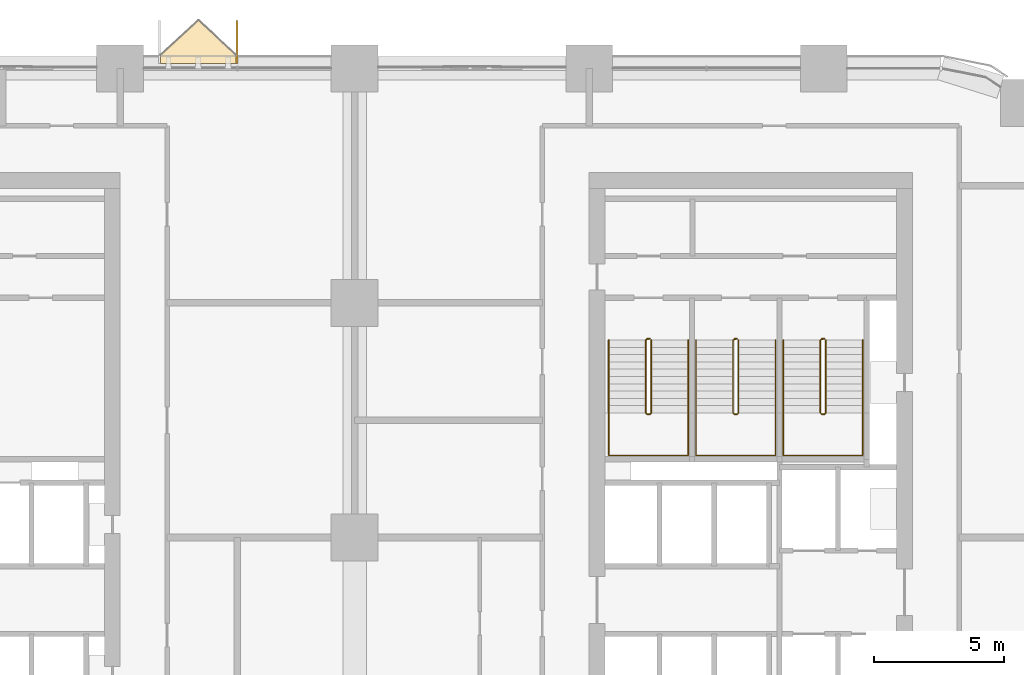
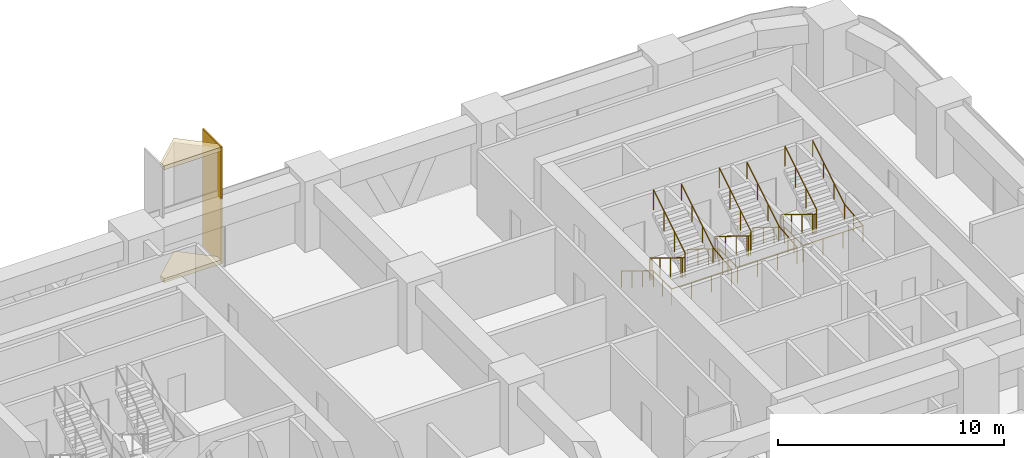
# One storey, part 18 of 18: 6 railings, 3 coverings.
"""IFC4 building model written with IfcOpenShell, lengths in metres."""

from ifc_helpers import new_model, si_unit, direction, frame, origin, origin_2d, place, context, subcontext, project, spatial, polyline, circle, outline, extrude, material, layer, layer_set, type_object, element, save


model = new_model("IFC4")

# Units and contexts
model_context = context("Model", 3, precision=1e-05, world=origin(), true_north=direction((0.0, 1.0)))
body_context = subcontext(model_context, "Body", "Model", "MODEL_VIEW")
ifc_project = project(units=[si_unit("LENGTHUNIT", "METRE"), si_unit("AREAUNIT", "SQUARE_METRE"), si_unit("VOLUMEUNIT", "CUBIC_METRE"), si_unit("PLANEANGLEUNIT", "RADIAN"), si_unit("MASSUNIT", "GRAM", prefix="KILO")], contexts=[model_context])

# Site, building, storey
site_placement = place(None, origin())
site = spatial("IfcSite", under=ifc_project, at=site_placement, CompositionType="ELEMENT")
building_placement = place(site_placement, origin())
building = spatial("IfcBuilding", under=site, at=building_placement, Name="Tessera Arch", CompositionType="ELEMENT")
storey_placement = place(building_placement, frame((0.0, 0.0, 100.60009765625)))
storey = spatial("IfcBuildingStorey", under=building, at=storey_placement, Name="L23", CompositionType="ELEMENT", Elevation=100.60009765625)

# Railings
ifc_material_1 = material(Name="Painted steel balustrade", Category="steel")
railing_type_1 = type_object("IfcRailingType", Name="Stair guard 1100", PredefinedType="GUARDRAIL", material=ifc_material_1)
railing_1_placement = place(storey_placement, frame((38.219970703125, 43.6298828125, 0.0)))
element("IfcRailing", 1, at=railing_1_placement, inside=storey, type_object=railing_type_1, Name="L23 S1a stair guard 1", PredefinedType="GUARDRAIL", context=body_context, shape_type="SweptSolid", body=[
    extrude(circle(Radius=0.02392578125, at=origin_2d()), frame((-0.00390625, 0.0, 1.076171875), z_axis=(1.0, 0.0, 0.0), x_axis=(0.0, 1.0, 0.0)), (0.0, 0.0, 1.0), 0.1181640625),
    extrude(circle(Radius=0.02392578125, at=origin_2d()), frame((0.11279296875, 0.000732421875, 1.0732421875), z_axis=(-0.665449600336, -0.206938595226, 0.717184249143), x_axis=(0.296948579431, -0.954893471113, 0.0)), (0.0, 0.0, 1.0), 0.248779296875),
    extrude(circle(Radius=0.02392578125, at=origin_2d()), frame((-0.050048828125, -0.04638671875, 1.24658203125), z_axis=(0.0, -0.851089632645, 0.525020415988), x_axis=(1.0, 0.0, 0.0)), (0.0, 0.0, 1.0), 3.2978515625),
    extrude(circle(Radius=0.02392578125, at=origin_2d()), frame((-0.052978515625, -2.846923828125, 2.97607421875), z_axis=(0.707106781187, -0.707106781187, 0.0), x_axis=(0.707106781187, 0.707106781187, 0.0)), (0.0, 0.0, 1.0), 0.078857421875),
    extrude(circle(Radius=0.02392578125, at=origin_2d()), frame((-0.00390625, -2.89990234375, 2.97607421875), z_axis=(1.0, 0.0, 0.0), x_axis=(0.0, 1.0, 0.0)), (0.0, 0.0, 1.0), 0.1181640625),
    extrude(circle(Radius=0.02392578125, at=origin_2d()), frame((0.109130859375, -2.90087890625, 2.97216796875), z_axis=(0.267062837333, 0.268371968888, 0.925556009775), x_axis=(-0.708833529934, 0.705375805398, 0.0)), (0.0, 0.0, 1.0), 0.194580078125),
    extrude(circle(Radius=0.02392578125, at=origin_2d()), frame((0.159912109375, -2.853271484375, 3.146484375), z_axis=(0.0, 0.851089632645, 0.525020415988), x_axis=(-1.0, 0.0, 0.0)), (0.0, 0.0, 1.0), 3.2978515625),
    extrude(circle(Radius=0.02099609375, at=origin_2d()), origin(), (0.0, 0.0, 1.0), 1.06396484375),
    extrude(circle(Radius=0.02099609375, at=origin_2d()), frame((0.110107421875, 0.0, 0.0)), (0.0, 0.0, 1.0), 1.06396484375),
    extrude(circle(Radius=0.02099609375, at=origin_2d()), frame((-0.050048828125, -0.0498046875, 0.172607421875)), (0.0, 0.0, 1.0), 1.06396484375),
    extrude(circle(Radius=0.02099609375, at=origin_2d()), frame((-0.050048828125, -0.983154296875, 0.748291015625)), (0.0, 0.0, 1.0), 1.06396484375),
    extrude(circle(Radius=0.02099609375, at=origin_2d()), frame((-0.050048828125, -1.91650390625, 1.32421875)), (0.0, 0.0, 1.0), 1.06396484375),
    extrude(circle(Radius=0.02099609375, at=origin_2d()), frame((-0.050048828125, -2.849853515625, 1.89990234375)), (0.0, 0.0, 1.0), 1.06396484375),
    extrude(circle(Radius=0.02099609375, at=origin_2d()), frame((0.0, -2.89990234375, 1.89990234375)), (0.0, 0.0, 1.0), 1.06396484375),
    extrude(circle(Radius=0.02099609375, at=origin_2d()), frame((0.110107421875, -2.89990234375, 1.89990234375)), (0.0, 0.0, 1.0), 1.06396484375),
    extrude(circle(Radius=0.02099609375, at=origin_2d()), frame((0.159912109375, -2.849853515625, 2.072509765625)), (0.0, 0.0, 1.0), 1.06396484375),
    extrude(circle(Radius=0.02099609375, at=origin_2d()), frame((0.159912109375, -1.91650390625, 2.648193359375)), (0.0, 0.0, 1.0), 1.06396484375),
    extrude(circle(Radius=0.02099609375, at=origin_2d()), frame((0.159912109375, -0.983154296875, 3.22412109375)), (0.0, 0.0, 1.0), 1.06396484375),
    extrude(circle(Radius=0.02099609375, at=origin_2d()), frame((0.159912109375, -0.0498046875, 3.7998046875)), (0.0, 0.0, 1.0), 1.06396484375),
])
railing_2_placement = place(storey_placement, frame((41.570068359375, 43.6298828125, 0.0)))
element("IfcRailing", 2, at=railing_2_placement, inside=storey, type_object=railing_type_1, Name="L23 S1b stair guard 1", PredefinedType="GUARDRAIL", context=body_context, shape_type="SweptSolid", body=[
    extrude(circle(Radius=0.02392578125, at=origin_2d()), frame((-0.00390625, 0.0, 1.076171875), z_axis=(1.0, 0.0, 0.0), x_axis=(0.0, 1.0, 0.0)), (0.0, 0.0, 1.0), 0.117919921875),
    extrude(circle(Radius=0.02392578125, at=origin_2d()), frame((0.112548828125, 0.000732421875, 1.0732421875), z_axis=(-0.664883824791, -0.207078321004, 0.717668494851), x_axis=(0.297361876254, -0.954764847777, 0.0)), (0.0, 0.0, 1.0), 0.24853515625),
    extrude(circle(Radius=0.02392578125, at=origin_2d()), frame((-0.050048828125, -0.04638671875, 1.24658203125), z_axis=(0.0, -0.851089632645, 0.525020415988), x_axis=(1.0, 0.0, 0.0)), (0.0, 0.0, 1.0), 3.2978515625),
    extrude(circle(Radius=0.02392578125, at=origin_2d()), frame((-0.052978515625, -2.846923828125, 2.97607421875), z_axis=(0.707106781187, -0.707106781187, 0.0), x_axis=(0.707106781187, 0.707106781187, 0.0)), (0.0, 0.0, 1.0), 0.078857421875),
    extrude(circle(Radius=0.02392578125, at=origin_2d()), frame((-0.00390625, -2.89990234375, 2.97607421875), z_axis=(1.0, 0.0, 0.0), x_axis=(0.0, 1.0, 0.0)), (0.0, 0.0, 1.0), 0.117919921875),
    extrude(circle(Radius=0.02392578125, at=origin_2d()), frame((0.10888671875, -2.90087890625, 2.97216796875), z_axis=(0.268277960024, 0.268277960024, 0.925231793839), x_axis=(-0.707106781187, 0.707106781187, 0.0)), (0.0, 0.0, 1.0), 0.194580078125),
    extrude(circle(Radius=0.02392578125, at=origin_2d()), frame((0.159912109375, -2.853271484375, 3.146484375), z_axis=(0.0, 0.851089632645, 0.525020415988), x_axis=(-1.0, 0.0, 0.0)), (0.0, 0.0, 1.0), 3.2978515625),
    extrude(circle(Radius=0.02099609375, at=origin_2d()), origin(), (0.0, 0.0, 1.0), 1.06396484375),
    extrude(circle(Radius=0.02099609375, at=origin_2d()), frame((0.10986328125, 0.0, 0.0)), (0.0, 0.0, 1.0), 1.06396484375),
    extrude(circle(Radius=0.02099609375, at=origin_2d()), frame((-0.050048828125, -0.0498046875, 0.172607421875)), (0.0, 0.0, 1.0), 1.06396484375),
    extrude(circle(Radius=0.02099609375, at=origin_2d()), frame((-0.050048828125, -0.983154296875, 0.748291015625)), (0.0, 0.0, 1.0), 1.06396484375),
    extrude(circle(Radius=0.02099609375, at=origin_2d()), frame((-0.050048828125, -1.91650390625, 1.32421875)), (0.0, 0.0, 1.0), 1.06396484375),
    extrude(circle(Radius=0.02099609375, at=origin_2d()), frame((-0.050048828125, -2.849853515625, 1.89990234375)), (0.0, 0.0, 1.0), 1.06396484375),
    extrude(circle(Radius=0.02099609375, at=origin_2d()), frame((0.0, -2.89990234375, 1.89990234375)), (0.0, 0.0, 1.0), 1.06396484375),
    extrude(circle(Radius=0.02099609375, at=origin_2d()), frame((0.10986328125, -2.89990234375, 1.89990234375)), (0.0, 0.0, 1.0), 1.06396484375),
    extrude(circle(Radius=0.02099609375, at=origin_2d()), frame((0.159912109375, -2.849853515625, 2.072509765625)), (0.0, 0.0, 1.0), 1.06396484375),
    extrude(circle(Radius=0.02099609375, at=origin_2d()), frame((0.159912109375, -1.91650390625, 2.648193359375)), (0.0, 0.0, 1.0), 1.06396484375),
    extrude(circle(Radius=0.02099609375, at=origin_2d()), frame((0.159912109375, -0.983154296875, 3.22412109375)), (0.0, 0.0, 1.0), 1.06396484375),
    extrude(circle(Radius=0.02099609375, at=origin_2d()), frame((0.159912109375, -0.0498046875, 3.7998046875)), (0.0, 0.0, 1.0), 1.06396484375),
])
railing_3_placement = place(storey_placement, frame((44.919921875, 43.6298828125, 0.0)))
element("IfcRailing", 3, at=railing_3_placement, inside=storey, type_object=railing_type_1, Name="L23 S1c stair guard 1", PredefinedType="GUARDRAIL", context=body_context, shape_type="SweptSolid", body=[
    extrude(circle(Radius=0.02392578125, at=origin_2d()), frame((-0.00390625, 0.0, 1.076171875), z_axis=(1.0, 0.0, 0.0), x_axis=(0.0, 1.0, 0.0)), (0.0, 0.0, 1.0), 0.1181640625),
    extrude(circle(Radius=0.02392578125, at=origin_2d()), frame((0.11279296875, 0.000732421875, 1.0732421875), z_axis=(-0.664883824791, -0.207078321004, 0.717668494851), x_axis=(0.297361876254, -0.954764847777, 0.0)), (0.0, 0.0, 1.0), 0.24853515625),
    extrude(circle(Radius=0.02392578125, at=origin_2d()), frame((-0.0498046875, -0.04638671875, 1.24658203125), z_axis=(0.0, -0.851089632645, 0.525020415988), x_axis=(1.0, 0.0, 0.0)), (0.0, 0.0, 1.0), 3.2978515625),
    extrude(circle(Radius=0.02392578125, at=origin_2d()), frame((-0.052734375, -2.846923828125, 2.97607421875), z_axis=(0.705375805398, -0.708833529934, 0.0), x_axis=(0.708833529934, 0.705375805398, 0.0)), (0.0, 0.0, 1.0), 0.07861328125),
    extrude(circle(Radius=0.02392578125, at=origin_2d()), frame((-0.00390625, -2.89990234375, 2.97607421875), z_axis=(1.0, 0.0, 0.0), x_axis=(0.0, 1.0, 0.0)), (0.0, 0.0, 1.0), 0.1181640625),
    extrude(circle(Radius=0.02392578125, at=origin_2d()), frame((0.109130859375, -2.90087890625, 2.97216796875), z_axis=(0.268277960024, 0.268277960024, 0.925231793839), x_axis=(-0.707106781187, 0.707106781187, 0.0)), (0.0, 0.0, 1.0), 0.194580078125),
    extrude(circle(Radius=0.02392578125, at=origin_2d()), frame((0.16015625, -2.853271484375, 3.146484375), z_axis=(0.0, 0.851089632645, 0.525020415988), x_axis=(-1.0, 0.0, 0.0)), (0.0, 0.0, 1.0), 3.2978515625),
    extrude(circle(Radius=0.02099609375, at=origin_2d()), origin(), (0.0, 0.0, 1.0), 1.06396484375),
    extrude(circle(Radius=0.02099609375, at=origin_2d()), frame((0.110107421875, 0.0, 0.0)), (0.0, 0.0, 1.0), 1.06396484375),
    extrude(circle(Radius=0.02099609375, at=origin_2d()), frame((-0.0498046875, -0.0498046875, 0.172607421875)), (0.0, 0.0, 1.0), 1.06396484375),
    extrude(circle(Radius=0.02099609375, at=origin_2d()), frame((-0.0498046875, -0.983154296875, 0.748291015625)), (0.0, 0.0, 1.0), 1.06396484375),
    extrude(circle(Radius=0.02099609375, at=origin_2d()), frame((-0.0498046875, -1.91650390625, 1.32421875)), (0.0, 0.0, 1.0), 1.06396484375),
    extrude(circle(Radius=0.02099609375, at=origin_2d()), frame((-0.0498046875, -2.849853515625, 1.89990234375)), (0.0, 0.0, 1.0), 1.06396484375),
    extrude(circle(Radius=0.02099609375, at=origin_2d()), frame((0.0, -2.89990234375, 1.89990234375)), (0.0, 0.0, 1.0), 1.06396484375),
    extrude(circle(Radius=0.02099609375, at=origin_2d()), frame((0.110107421875, -2.89990234375, 1.89990234375)), (0.0, 0.0, 1.0), 1.06396484375),
    extrude(circle(Radius=0.02099609375, at=origin_2d()), frame((0.16015625, -2.849853515625, 2.072509765625)), (0.0, 0.0, 1.0), 1.06396484375),
    extrude(circle(Radius=0.02099609375, at=origin_2d()), frame((0.16015625, -1.91650390625, 2.648193359375)), (0.0, 0.0, 1.0), 1.06396484375),
    extrude(circle(Radius=0.02099609375, at=origin_2d()), frame((0.16015625, -0.983154296875, 3.22412109375)), (0.0, 0.0, 1.0), 1.06396484375),
    extrude(circle(Radius=0.02099609375, at=origin_2d()), frame((0.16015625, -0.0498046875, 3.7998046875)), (0.0, 0.0, 1.0), 1.06396484375),
])
ifc_material_2 = material(Name="Painted steel handrail", Category="steel")
railing_type_2 = type_object("IfcRailingType", Name="Stair handrail 900", PredefinedType="HANDRAIL", material=ifc_material_2)
railing_4_placement = place(storey_placement, frame((36.75, 43.580078125, 0.172607421875)))
element("IfcRailing", 4, at=railing_4_placement, inside=storey, type_object=railing_type_2, Name="L23 S1a stair handrail", PredefinedType="HANDRAIL", context=body_context, shape_type="SweptSolid", body=[
    extrude(circle(Radius=0.02392578125, at=origin_2d()), frame((0.0, 0.00341796875, 0.873779296875), z_axis=(0.0, -0.851089632645, 0.525020415988), x_axis=(1.0, 0.0, 0.0)), (0.0, 0.0, 1.0), 3.2978515625),
    extrude(circle(Radius=0.02392578125, at=origin_2d()), frame((0.0, -2.796142578125, 2.60302734375), z_axis=(0.0, -1.0, 0.0), x_axis=(1.0, 0.0, 0.0)), (0.0, 0.0, 1.0), 1.63818359375),
    extrude(circle(Radius=0.02392578125, at=origin_2d()), frame((-0.00390625, -4.43017578125, 2.60302734375), z_axis=(1.0, 0.0, 0.0), x_axis=(0.0, 1.0, 0.0)), (0.0, 0.0, 1.0), 3.05810546875),
    extrude(circle(Radius=0.02392578125, at=origin_2d()), frame((3.050048828125, -4.43408203125, 2.602783203125), z_axis=(0.0, 0.994440793715, 0.105297235459), x_axis=(-1.0, 0.0, 0.0)), (0.0, 0.0, 1.0), 1.647216796875),
    extrude(circle(Radius=0.02392578125, at=origin_2d()), frame((3.050048828125, -2.803466796875, 2.773681640625), z_axis=(0.0, 0.851089632645, 0.525020415988), x_axis=(-1.0, 0.0, 0.0)), (0.0, 0.0, 1.0), 3.2978515625),
    extrude(circle(Radius=0.02099609375, at=origin_2d()), origin(), (0.0, 0.0, 1.0), 0.86376953125),
    extrude(circle(Radius=0.02099609375, at=origin_2d()), frame((0.0, -0.933349609375, 0.57568359375)), (0.0, 0.0, 1.0), 0.86376953125),
    extrude(circle(Radius=0.02099609375, at=origin_2d()), frame((0.0, -1.86669921875, 1.151611328125)), (0.0, 0.0, 1.0), 0.86376953125),
    extrude(circle(Radius=0.02099609375, at=origin_2d()), frame((0.0, -2.800048828125, 1.727294921875)), (0.0, 0.0, 1.0), 0.86376953125),
    extrude(circle(Radius=0.02099609375, at=origin_2d()), frame((0.0, -3.615234375, 1.727294921875)), (0.0, 0.0, 1.0), 0.86376953125),
    extrude(circle(Radius=0.02099609375, at=origin_2d()), frame((0.0, -4.43017578125, 1.727294921875)), (0.0, 0.0, 1.0), 0.86376953125),
    extrude(circle(Radius=0.02099609375, at=origin_2d()), frame((1.0166015625, -4.43017578125, 1.727294921875)), (0.0, 0.0, 1.0), 0.86376953125),
    extrude(circle(Radius=0.02099609375, at=origin_2d()), frame((2.033447265625, -4.43017578125, 1.727294921875)), (0.0, 0.0, 1.0), 0.86376953125),
    extrude(circle(Radius=0.02099609375, at=origin_2d()), frame((3.050048828125, -4.43017578125, 1.727294921875)), (0.0, 0.0, 1.0), 0.86376953125),
    extrude(circle(Radius=0.02099609375, at=origin_2d()), frame((3.050048828125, -3.615234375, 1.8134765625)), (0.0, 0.0, 1.0), 0.86376953125),
    extrude(circle(Radius=0.02099609375, at=origin_2d()), frame((3.050048828125, -2.800048828125, 1.89990234375)), (0.0, 0.0, 1.0), 0.86376953125),
    extrude(circle(Radius=0.02099609375, at=origin_2d()), frame((3.050048828125, -1.86669921875, 2.4755859375)), (0.0, 0.0, 1.0), 0.86376953125),
    extrude(circle(Radius=0.02099609375, at=origin_2d()), frame((3.050048828125, -0.933349609375, 3.051513671875)), (0.0, 0.0, 1.0), 0.86376953125),
    extrude(circle(Radius=0.02099609375, at=origin_2d()), frame((3.050048828125, 0.0, 3.627197265625)), (0.0, 0.0, 1.0), 0.86376953125),
])
railing_5_placement = place(storey_placement, frame((40.10009765625, 43.580078125, 0.172607421875)))
element("IfcRailing", 5, at=railing_5_placement, inside=storey, type_object=railing_type_2, Name="L23 S1b stair handrail", PredefinedType="HANDRAIL", context=body_context, shape_type="SweptSolid", body=[
    extrude(circle(Radius=0.02392578125, at=origin_2d()), frame((0.0, 0.00341796875, 0.873779296875), z_axis=(0.0, -0.851089632645, 0.525020415988), x_axis=(1.0, 0.0, 0.0)), (0.0, 0.0, 1.0), 3.2978515625),
    extrude(circle(Radius=0.02392578125, at=origin_2d()), frame((0.0, -2.796142578125, 2.60302734375), z_axis=(0.0, -1.0, 0.0), x_axis=(1.0, 0.0, 0.0)), (0.0, 0.0, 1.0), 1.63818359375),
    extrude(circle(Radius=0.02392578125, at=origin_2d()), frame((-0.00390625, -4.43017578125, 2.60302734375), z_axis=(1.0, 0.0, 0.0), x_axis=(0.0, 1.0, 0.0)), (0.0, 0.0, 1.0), 3.057861328125),
    extrude(circle(Radius=0.02392578125, at=origin_2d()), frame((3.0498046875, -4.43408203125, 2.602783203125), z_axis=(0.0, 0.994440793715, 0.105297235459), x_axis=(-1.0, 0.0, 0.0)), (0.0, 0.0, 1.0), 1.647216796875),
    extrude(circle(Radius=0.02392578125, at=origin_2d()), frame((3.0498046875, -2.803466796875, 2.773681640625), z_axis=(0.0, 0.851089632645, 0.525020415988), x_axis=(-1.0, 0.0, 0.0)), (0.0, 0.0, 1.0), 3.2978515625),
    extrude(circle(Radius=0.02099609375, at=origin_2d()), origin(), (0.0, 0.0, 1.0), 0.86376953125),
    extrude(circle(Radius=0.02099609375, at=origin_2d()), frame((0.0, -0.933349609375, 0.57568359375)), (0.0, 0.0, 1.0), 0.86376953125),
    extrude(circle(Radius=0.02099609375, at=origin_2d()), frame((0.0, -1.86669921875, 1.151611328125)), (0.0, 0.0, 1.0), 0.86376953125),
    extrude(circle(Radius=0.02099609375, at=origin_2d()), frame((0.0, -2.800048828125, 1.727294921875)), (0.0, 0.0, 1.0), 0.86376953125),
    extrude(circle(Radius=0.02099609375, at=origin_2d()), frame((0.0, -3.615234375, 1.727294921875)), (0.0, 0.0, 1.0), 0.86376953125),
    extrude(circle(Radius=0.02099609375, at=origin_2d()), frame((0.0, -4.43017578125, 1.727294921875)), (0.0, 0.0, 1.0), 0.86376953125),
    extrude(circle(Radius=0.02099609375, at=origin_2d()), frame((1.0166015625, -4.43017578125, 1.727294921875)), (0.0, 0.0, 1.0), 0.86376953125),
    extrude(circle(Radius=0.02099609375, at=origin_2d()), frame((2.033203125, -4.43017578125, 1.727294921875)), (0.0, 0.0, 1.0), 0.86376953125),
    extrude(circle(Radius=0.02099609375, at=origin_2d()), frame((3.0498046875, -4.43017578125, 1.727294921875)), (0.0, 0.0, 1.0), 0.86376953125),
    extrude(circle(Radius=0.02099609375, at=origin_2d()), frame((3.0498046875, -3.615234375, 1.8134765625)), (0.0, 0.0, 1.0), 0.86376953125),
    extrude(circle(Radius=0.02099609375, at=origin_2d()), frame((3.0498046875, -2.800048828125, 1.89990234375)), (0.0, 0.0, 1.0), 0.86376953125),
    extrude(circle(Radius=0.02099609375, at=origin_2d()), frame((3.0498046875, -1.86669921875, 2.4755859375)), (0.0, 0.0, 1.0), 0.86376953125),
    extrude(circle(Radius=0.02099609375, at=origin_2d()), frame((3.0498046875, -0.933349609375, 3.051513671875)), (0.0, 0.0, 1.0), 0.86376953125),
    extrude(circle(Radius=0.02099609375, at=origin_2d()), frame((3.0498046875, 0.0, 3.627197265625)), (0.0, 0.0, 1.0), 0.86376953125),
])
railing_6_placement = place(storey_placement, frame((43.449951171875, 43.580078125, 0.172607421875)))
element("IfcRailing", 6, at=railing_6_placement, inside=storey, type_object=railing_type_2, Name="L23 S1c stair handrail", PredefinedType="HANDRAIL", context=body_context, shape_type="SweptSolid", body=[
    extrude(circle(Radius=0.02392578125, at=origin_2d()), frame((0.0, 0.00341796875, 0.873779296875), z_axis=(0.0, -0.851089632645, 0.525020415988), x_axis=(1.0, 0.0, 0.0)), (0.0, 0.0, 1.0), 3.2978515625),
    extrude(circle(Radius=0.02392578125, at=origin_2d()), frame((0.0, -2.796142578125, 2.60302734375), z_axis=(0.0, -1.0, 0.0), x_axis=(1.0, 0.0, 0.0)), (0.0, 0.0, 1.0), 1.63818359375),
    extrude(circle(Radius=0.02392578125, at=origin_2d()), frame((-0.00390625, -4.43017578125, 2.60302734375), z_axis=(1.0, 0.0, 0.0), x_axis=(0.0, 1.0, 0.0)), (0.0, 0.0, 1.0), 3.05810546875),
    extrude(circle(Radius=0.02392578125, at=origin_2d()), frame((3.050048828125, -4.43408203125, 2.602783203125), z_axis=(0.0, 0.994440793715, 0.105297235459), x_axis=(-1.0, 0.0, 0.0)), (0.0, 0.0, 1.0), 1.647216796875),
    extrude(circle(Radius=0.02392578125, at=origin_2d()), frame((3.050048828125, -2.803466796875, 2.773681640625), z_axis=(0.0, 0.851089632645, 0.525020415988), x_axis=(-1.0, 0.0, 0.0)), (0.0, 0.0, 1.0), 3.2978515625),
    extrude(circle(Radius=0.02099609375, at=origin_2d()), origin(), (0.0, 0.0, 1.0), 0.86376953125),
    extrude(circle(Radius=0.02099609375, at=origin_2d()), frame((0.0, -0.933349609375, 0.57568359375)), (0.0, 0.0, 1.0), 0.86376953125),
    extrude(circle(Radius=0.02099609375, at=origin_2d()), frame((0.0, -1.86669921875, 1.151611328125)), (0.0, 0.0, 1.0), 0.86376953125),
    extrude(circle(Radius=0.02099609375, at=origin_2d()), frame((0.0, -2.800048828125, 1.727294921875)), (0.0, 0.0, 1.0), 0.86376953125),
    extrude(circle(Radius=0.02099609375, at=origin_2d()), frame((0.0, -3.615234375, 1.727294921875)), (0.0, 0.0, 1.0), 0.86376953125),
    extrude(circle(Radius=0.02099609375, at=origin_2d()), frame((0.0, -4.43017578125, 1.727294921875)), (0.0, 0.0, 1.0), 0.86376953125),
    extrude(circle(Radius=0.02099609375, at=origin_2d()), frame((1.0166015625, -4.43017578125, 1.727294921875)), (0.0, 0.0, 1.0), 0.86376953125),
    extrude(circle(Radius=0.02099609375, at=origin_2d()), frame((2.033447265625, -4.43017578125, 1.727294921875)), (0.0, 0.0, 1.0), 0.86376953125),
    extrude(circle(Radius=0.02099609375, at=origin_2d()), frame((3.050048828125, -4.43017578125, 1.727294921875)), (0.0, 0.0, 1.0), 0.86376953125),
    extrude(circle(Radius=0.02099609375, at=origin_2d()), frame((3.050048828125, -3.615234375, 1.8134765625)), (0.0, 0.0, 1.0), 0.86376953125),
    extrude(circle(Radius=0.02099609375, at=origin_2d()), frame((3.050048828125, -2.800048828125, 1.89990234375)), (0.0, 0.0, 1.0), 0.86376953125),
    extrude(circle(Radius=0.02099609375, at=origin_2d()), frame((3.050048828125, -1.86669921875, 2.4755859375)), (0.0, 0.0, 1.0), 0.86376953125),
    extrude(circle(Radius=0.02099609375, at=origin_2d()), frame((3.050048828125, -0.933349609375, 3.051513671875)), (0.0, 0.0, 1.0), 0.86376953125),
    extrude(circle(Radius=0.02099609375, at=origin_2d()), frame((3.050048828125, 0.0, 3.627197265625)), (0.0, 0.0, 1.0), 0.86376953125),
])

# Coverings
ifc_material_3 = material(Name="Anodised aluminium pale metal", Category="aluminium")
ifc_layer_1 = layer(ifc_material_3, 0.080078125)
ifc_layer_set_1 = layer_set([ifc_layer_1], Name="Window box cheek")
covering_type_1 = type_object("IfcCoveringType", Name="Window box cheek", PredefinedType="CLADDING", material=ifc_layer_set_1)
covering_placement = place(storey_placement, origin())
element("IfcCovering", 7, at=covering_placement, inside=storey, type_object=covering_type_1, Name="Window box N54.0/2.1 1x2 cheek", PredefinedType="CLADDING", context=body_context, shape_type="SweptSolid", body=[
    extrude(outline(polyline([(22.530029296875, 55.85009765625), (22.449951171875, 55.85009765625), (22.449951171875, 54.199951171875), (22.530029296875, 54.199951171875), (22.530029296875, 55.85009765625)])), origin(), (0.0, 0.0, 1.0), 6.2998046875),
])
ifc_material_4 = material(Name="Anodised aluminium cobalt blue", Category="aluminium")
ifc_layer_2 = layer(ifc_material_4, 0.219970703125)
ifc_layer_set_2 = layer_set([ifc_layer_2], Name="Window box frame plate cobalt")
covering_type_2 = type_object("IfcCoveringType", Name="Window box frame plate cobalt", PredefinedType="CLADDING", material=ifc_layer_set_2)
for number, where, name in (
    (8, (0.0, 0.0, 0.0), "Window box N54.0/2.1 1x2 floor"),
    (9, (0.0, 0.0, 6.079833984375), "Window box N54.0/2.1 1x2 roof"),
):
    element("IfcCovering", number, at=place(storey_placement, frame(where)), inside=storey, type_object=covering_type_2, Name=name, PredefinedType="CLADDING", context=body_context, shape_type="SweptSolid", body=[
        extrude(outline(polyline([(22.449951171875, 54.510009765625), (21.0, 55.85009765625), (19.550048828125, 54.510009765625), (19.550048828125, 54.199951171875), (22.449951171875, 54.199951171875), (22.449951171875, 54.510009765625)])), origin(), (0.0, 0.0, 1.0), 0.219970703125),
    ])

save(model, "model.ifc")
